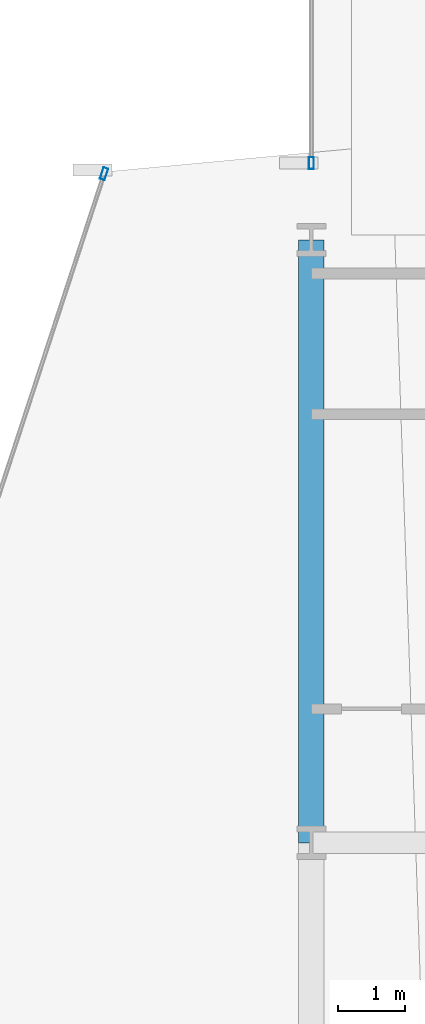
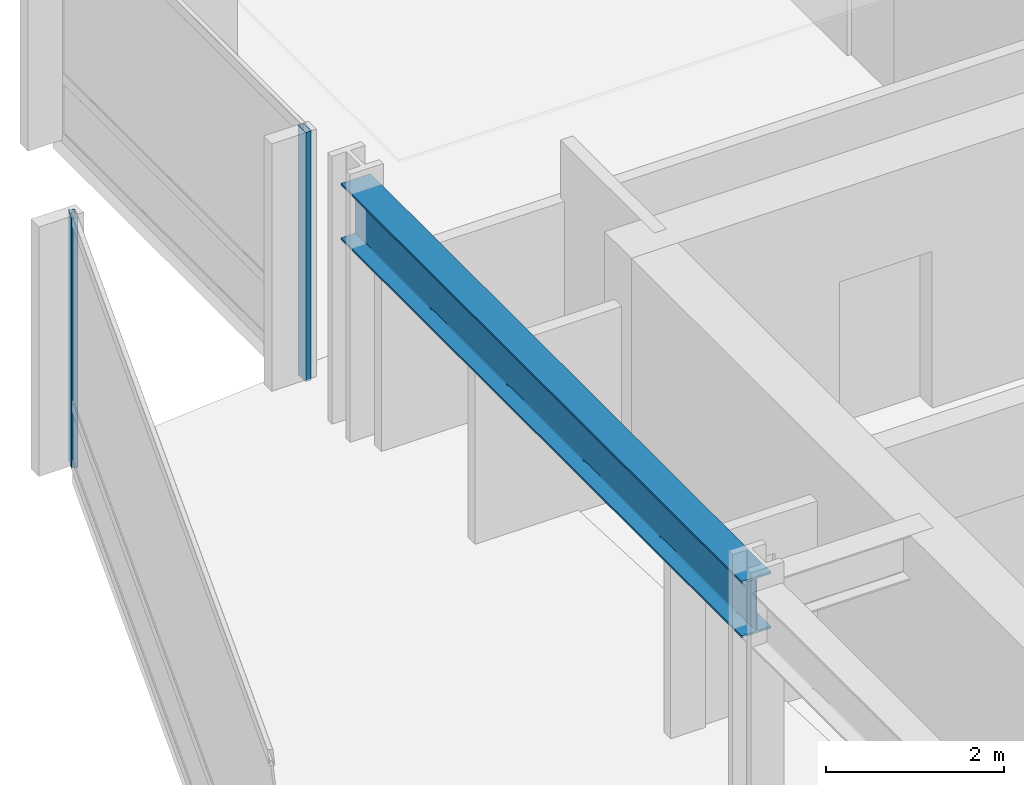
# One storey, part 19 of 34: 2 members, 1 beam, 2 elements without a shape of their own.
"""IFC4 building model written with IfcOpenShell, lengths in metres."""

from ifc_helpers import new_model, si_unit, direction, frame, origin, origin_2d, place, context, subcontext, project, spatial, hollow_rectangle, i_section, extrude, material, layer, layer_set, material_profile, profile_set, type_object, element, aggregate, save


model = new_model("IFC4")

# Units and contexts
model_context = context("Model", 3, precision=1e-05, world=origin(), true_north=direction((0.0, 1.0)))
body_context = subcontext(model_context, "Body", "Model", "MODEL_VIEW")
ifc_project = project(units=[si_unit("LENGTHUNIT", "METRE"), si_unit("AREAUNIT", "SQUARE_METRE"), si_unit("VOLUMEUNIT", "CUBIC_METRE"), si_unit("PLANEANGLEUNIT", "RADIAN"), si_unit("MASSUNIT", "GRAM", prefix="KILO")], contexts=[model_context])

# Site, building, storey
site_placement = place(None, origin())
site = spatial("IfcSite", under=ifc_project, at=site_placement, CompositionType="ELEMENT")
building_placement = place(site_placement, origin())
building = spatial("IfcBuilding", under=site, at=building_placement, Name="Solvaryn Broadcast Tower", CompositionType="ELEMENT")
storey_placement = place(building_placement, frame((0.0, 0.0, 65.60009765625)))
storey = spatial("IfcBuildingStorey", under=building, at=storey_placement, Name="L15", CompositionType="ELEMENT", Elevation=65.60009765625)

# Beam
ifc_material_1 = material(Name="Steel ASTM A992 Grade 50", Category="steel")
ifc_material_profile_1 = material_profile(ifc_material_1, i_section(OverallWidth=0.381103515625, OverallDepth=0.77294921875, WebThickness=0.0166015625, FlangeThickness=0.027099609375, FilletRadius=0.01806640625, at=origin_2d()))
ifc_profile_set_1 = profile_set([ifc_material_profile_1], Name="Steel ASTM A992 Grade 50")
beam_type = type_object("IfcBeamType", Name="BM-SP1-W30X173", PredefinedType="USERDEFINED", material=ifc_profile_set_1)
beam_placement = place(storey_placement, frame((9.0, 36.0, 3.033447265625), z_axis=(0.0, 1.0, 0.0), x_axis=(-1.0, 0.0, 0.0)))
element("IfcBeam", 1, at=beam_placement, inside=storey, type_object=beam_type, Name="L15 Spandrel Beam Y (36-45 @ X=9)", ObjectType="SPANDREL", PredefinedType="USERDEFINED", context=body_context, shape_type="SweptSolid", body=[
    extrude(i_section(OverallWidth=0.381103515625, OverallDepth=0.77294921875, WebThickness=0.0166015625, FlangeThickness=0.027099609375, FilletRadius=0.01806640625, at=origin_2d()), origin(), (0.0, 0.0, 1.0), 9.0),
])

# Curtain wall, member
ifc_material_2 = material(Name="Aluminium and Terracotta Unitised Curtain Wall", Category="masonry")
ifc_layer = layer(ifc_material_2, 0.199951171875)
ifc_layer_set = layer_set([ifc_layer], Name="CW-SYS2-LOWMID")
curtain_wall_type = type_object("IfcCurtainWallType", Name="CW-SYS2-LOWMID", PredefinedType="NOTDEFINED", material=ifc_layer_set)
curtain_wall_1_placement = place(storey_placement, origin())
curtain_wall_1 = element("IfcCurtainWall", 2, at=curtain_wall_1_placement, inside=storey, type_object=curtain_wall_type, Name="L15 Curtain Wall DR1", PredefinedType="NOTDEFINED")
ifc_material_3 = material(Name="Anodised Aluminium 6063-T6", Category="aluminium")
ifc_material_profile_2 = material_profile(ifc_material_3, hollow_rectangle(XDim=0.074951171875, YDim=0.179931640625, WallThickness=0.00390625, InnerFilletRadius=0.00390625, OuterFilletRadius=0.008056640625, at=origin_2d()))
ifc_profile_set_2 = profile_set([ifc_material_profile_2], Name="Anodised Aluminium 6063-T6")
member_type = type_object("IfcMemberType", Name="CW-MUL-180", PredefinedType="MULLION", material=ifc_profile_set_2)
member_1_placement = place(storey_placement, frame((5.90673828125, 45.987548828125, 0.0), z_axis=(0.0, 0.0, 1.0), x_axis=(0.950215318429, -0.311594044587, 0.0)))
member_1 = element("IfcMember", 3, at=member_1_placement, type_object=member_type, Name="CWS2 mullion 1", PredefinedType="MULLION", context=body_context, shape_type="SweptSolid", body=[
    extrude(hollow_rectangle(XDim=0.074951171875, YDim=0.179931640625, WallThickness=0.00390625, InnerFilletRadius=0.00390625, OuterFilletRadius=0.008056640625, at=origin_2d()), origin(), (0.0, 0.0, 1.0), 3.419921875),
])
aggregate(curtain_wall_1, [member_1])

curtain_wall_2_placement = place(storey_placement, origin())
curtain_wall_2 = element("IfcCurtainWall", 4, at=curtain_wall_2_placement, inside=storey, type_object=curtain_wall_type, Name="L15 Curtain Wall W2", PredefinedType="NOTDEFINED")
member_2_placement = place(storey_placement, frame((9.0, 46.14599609375, 0.0), z_axis=(0.0, 0.0, 1.0), x_axis=(-1.0, 0.0, 0.0)))
member_2 = element("IfcMember", 5, at=member_2_placement, type_object=member_type, Name="CWS2 mullion 1", PredefinedType="MULLION", context=body_context, shape_type="SweptSolid", body=[
    extrude(hollow_rectangle(XDim=0.074951171875, YDim=0.179931640625, WallThickness=0.00390625, InnerFilletRadius=0.00390625, OuterFilletRadius=0.008056640625, at=origin_2d()), origin(), (0.0, 0.0, 1.0), 3.419921875),
])
aggregate(curtain_wall_2, [member_2])

save(model, "model.ifc")
